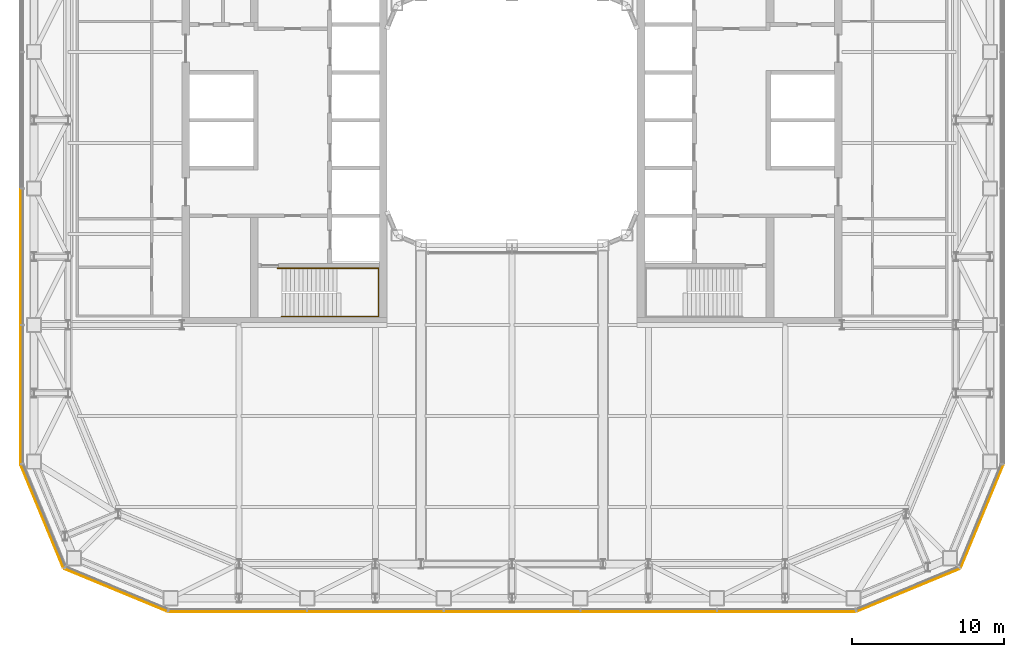
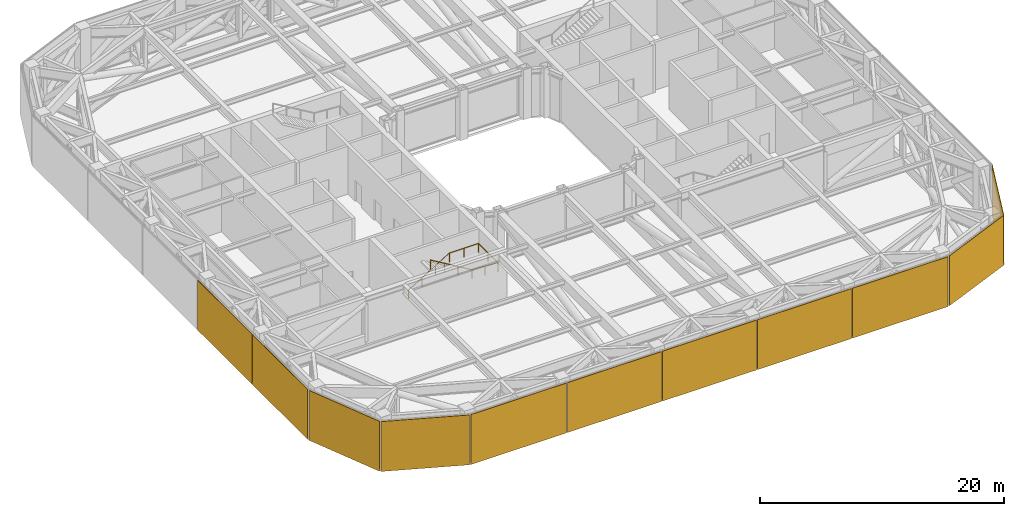
# One storey, part 29 of 33: 11 coverings, 1 railing.
"""IFC4 building model written with IfcOpenShell, lengths in metres."""

from ifc_helpers import new_model, si_unit, direction, frame, origin, origin_2d, place, context, subcontext, project, spatial, rectangle, circle, extrude, material, layer, layer_set, type_object, element, save


model = new_model("IFC4")

# Units and contexts
model_context = context("Model", 3, precision=1e-05, world=origin(), true_north=direction((0.0, 1.0)))
body_context = subcontext(model_context, "Body", "Model", "MODEL_VIEW")
ifc_project = project(units=[si_unit("LENGTHUNIT", "METRE"), si_unit("AREAUNIT", "SQUARE_METRE"), si_unit("VOLUMEUNIT", "CUBIC_METRE"), si_unit("PLANEANGLEUNIT", "RADIAN"), si_unit("MASSUNIT", "GRAM", prefix="KILO")], contexts=[model_context])

# Site, building, storey
site_placement = place(None, origin())
site = spatial("IfcSite", under=ifc_project, at=site_placement, CompositionType="ELEMENT")
building_placement = place(site_placement, origin())
building = spatial("IfcBuilding", under=site, at=building_placement, Name="Siwar Civic Tower", CompositionType="ELEMENT")
storey_placement = place(building_placement, frame((0.0, 0.0, 94.199951171875)))
storey = spatial("IfcBuildingStorey", under=building, at=storey_placement, Name="L20", CompositionType="ELEMENT", Elevation=94.199951171875)

# Railing
ifc_material_1 = material(Name="Stainless steel", Category="steel")
railing_type = type_object("IfcRailingType", Name="CORE-STAIR-HANDRAIL", PredefinedType="HANDRAIL", material=ifc_material_1)
railing_placement = place(storey_placement, frame((-15.449951171875, -9.758056640625, 0.166748046875)))
element("IfcRailing", 1, at=railing_placement, inside=storey, type_object=railing_type, Name="Stair handrail ST2", PredefinedType="HANDRAIL", context=body_context, shape_type="SweptSolid", body=[
    extrude(circle(Radius=0.02001953125, at=origin_2d()), frame((0.0, 0.0, 0.8798828125), z_axis=(0.856384976194, 0.0, 0.516337847296), x_axis=(0.0, 1.0, 0.0)), (0.0, 0.0, 1.0), 4.518798828125),
    extrude(circle(Radius=0.02001953125, at=origin_2d()), frame((3.869873046875, 0.0, 3.213134765625), z_axis=(1.0, 0.0, 0.0), x_axis=(0.0, 1.0, 0.0)), (0.0, 0.0, 1.0), 2.77197265625),
    extrude(circle(Radius=0.02001953125, at=origin_2d()), frame((6.641845703125, 0.0, 3.213134765625), z_axis=(0.0, -1.0, 0.0), x_axis=(1.0, 0.0, 0.0)), (0.0, 0.0, 1.0), 3.183837890625),
    extrude(circle(Radius=0.02001953125, at=origin_2d()), frame((6.641845703125, -3.183837890625, 3.213134765625), z_axis=(-0.997732526271, 0.0, 0.067303833624), x_axis=(0.0, -1.0, 0.0)), (0.0, 0.0, 1.0), 2.4775390625),
    extrude(circle(Radius=0.02001953125, at=origin_2d()), frame((4.169921875, -3.183837890625, 3.3798828125), z_axis=(-0.859296244711, 0.0, 0.511478214419), x_axis=(0.0, -1.0, 0.0)), (0.0, 0.0, 1.0), 4.561767578125),
    extrude(circle(Radius=0.02001953125, at=origin_2d()), origin(), (0.0, 0.0, 1.0), 0.85986328125),
    extrude(circle(Radius=0.02001953125, at=origin_2d()), frame((1.2900390625, 0.0, 0.77783203125)), (0.0, 0.0, 1.0), 0.85986328125),
    extrude(circle(Radius=0.02001953125, at=origin_2d()), frame((2.579833984375, 0.0, 1.555419921875)), (0.0, 0.0, 1.0), 0.85986328125),
    extrude(circle(Radius=0.02001953125, at=origin_2d()), frame((3.869873046875, 0.0, 2.333251953125)), (0.0, 0.0, 1.0), 0.85986328125),
    extrude(circle(Radius=0.02001953125, at=origin_2d()), frame((5.255859375, 0.0, 2.333251953125)), (0.0, 0.0, 1.0), 0.85986328125),
    extrude(circle(Radius=0.02001953125, at=origin_2d()), frame((6.641845703125, 0.0, 2.333251953125)), (0.0, 0.0, 1.0), 0.85986328125),
    extrude(circle(Radius=0.02001953125, at=origin_2d()), frame((6.641845703125, -1.591796875, 2.333251953125)), (0.0, 0.0, 1.0), 0.85986328125),
    extrude(circle(Radius=0.02001953125, at=origin_2d()), frame((6.641845703125, -3.183837890625, 2.333251953125)), (0.0, 0.0, 1.0), 0.85986328125),
    extrude(circle(Radius=0.02001953125, at=origin_2d()), frame((5.40576171875, -3.183837890625, 2.41650390625)), (0.0, 0.0, 1.0), 0.85986328125),
    extrude(circle(Radius=0.02001953125, at=origin_2d()), frame((4.169921875, -3.183837890625, 2.5)), (0.0, 0.0, 1.0), 0.85986328125),
    extrude(circle(Radius=0.02001953125, at=origin_2d()), frame((2.86328125, -3.183837890625, 3.27783203125)), (0.0, 0.0, 1.0), 0.85986328125),
    extrude(circle(Radius=0.02001953125, at=origin_2d()), frame((1.556640625, -3.183837890625, 4.055419921875)), (0.0, 0.0, 1.0), 0.85986328125),
    extrude(circle(Radius=0.02001953125, at=origin_2d()), frame((0.25, -3.183837890625, 4.833251953125)), (0.0, 0.0, 1.0), 0.85986328125),
])

# Coverings
ifc_material_2 = material(Name="Perforated aluminium cassette, pale metal", Category="aluminium")
ifc_layer_1 = layer(ifc_material_2, 0.044921875)
ifc_layer_set_1 = layer_set([ifc_layer_1], Name="Perforated aluminium cassette, pale metal")
covering_type_1 = type_object("IfcCoveringType", Name="ENV-OUTER SKIN OS-2", PredefinedType="CLADDING", material=ifc_layer_set_1)
covering_1_placement = place(storey_placement, frame((30.976318359375, -26.115966796875, -0.199951171875), z_axis=(0.0, 0.0, 1.0), x_axis=(0.382683432365, 0.923879532511, 0.0)))
element("IfcCovering", 2, at=covering_1_placement, inside=storey, type_object=covering_type_1, Name="OUTER SKIN OS-2 SE2 1", PredefinedType="CLADDING", context=body_context, shape_type="SweptSolid", body=[
    extrude(rectangle(XDim=7.300048828125, YDim=0.044921875, at=origin_2d()), origin(), (0.0, 0.0, 1.0), 5.0),
])
ifc_material_3 = material(Name="Perforated aluminium cassette, pale metal", Category="aluminium")
ifc_layer_2 = layer(ifc_material_3, 0.050048828125)
ifc_layer_set_2 = layer_set([ifc_layer_2], Name="Perforated aluminium cassette, pale metal")
covering_type_2 = type_object("IfcCoveringType", Name="ENV-OUTER SKIN OS-3", PredefinedType="CLADDING", material=ifc_layer_set_2)
covering_2_placement = place(storey_placement, frame((26.115966796875, -30.976318359375, -0.199951171875), z_axis=(0.0, 0.0, 1.0), x_axis=(0.923879532511, 0.382683432365, 0.0)))
element("IfcCovering", 3, at=covering_2_placement, inside=storey, type_object=covering_type_2, Name="OUTER SKIN OS-3 SE1 1", PredefinedType="CLADDING", context=body_context, shape_type="SweptSolid", body=[
    extrude(rectangle(XDim=7.300048828125, YDim=0.050048828125, at=origin_2d()), origin(), (0.0, 0.0, 1.0), 5.0),
])
covering_3_placement = place(storey_placement, frame((-32.39990234375, -9.0, -0.199951171875), z_axis=(0.0, 0.0, 1.0), x_axis=(0.0, -1.0, 0.0)))
element("IfcCovering", 4, at=covering_3_placement, inside=storey, type_object=covering_type_2, Name="OUTER SKIN OS-3 W 4", PredefinedType="CLADDING", context=body_context, shape_type="SweptSolid", body=[
    extrude(rectangle(XDim=8.89990234375, YDim=0.050048828125, at=origin_2d()), origin(), (0.0, 0.0, 1.0), 5.0),
])
covering_4_placement = place(storey_placement, frame((-32.39990234375, -18.07958984375, -0.199951171875), z_axis=(0.0, 0.0, 1.0), x_axis=(0.0, -1.0, 0.0)))
element("IfcCovering", 5, at=covering_4_placement, inside=storey, type_object=covering_type_2, Name="OUTER SKIN OS-3 W 5", PredefinedType="CLADDING", context=body_context, shape_type="SweptSolid", body=[
    extrude(rectangle(XDim=9.05908203125, YDim=0.050048828125, at=origin_2d()), origin(), (0.0, 0.0, 1.0), 5.0),
])
ifc_material_4 = material(Name="Perforated aluminium cassette, pale metal", Category="aluminium")
ifc_layer_3 = layer(ifc_material_4, 0.054931640625)
ifc_layer_set_3 = layer_set([ifc_layer_3], Name="Perforated aluminium cassette, pale metal")
covering_type_3 = type_object("IfcCoveringType", Name="ENV-OUTER SKIN OS-4", PredefinedType="CLADDING", material=ifc_layer_set_3)
covering_5_placement = place(storey_placement, frame((-18.07958984375, -32.39990234375, -0.199951171875), z_axis=(0.0, 0.0, 1.0), x_axis=(1.0, 0.0, 0.0)))
element("IfcCovering", 6, at=covering_5_placement, inside=storey, type_object=covering_type_3, Name="OUTER SKIN OS-4 S 1", PredefinedType="CLADDING", context=body_context, shape_type="SweptSolid", body=[
    extrude(rectangle(XDim=9.05908203125, YDim=0.054931640625, at=origin_2d()), origin(), (0.0, 0.0, 1.0), 5.0),
])
for number, where, z_axis, x_axis, name in (
    (7, (-9.0, -32.39990234375, -0.199951171875), (0.0, 0.0, 1.0), (1.0, 0.0, 0.0), "OUTER SKIN OS-4 S 2"),
    (8, (0.0, -32.39990234375, -0.199951171875), (0.0, 0.0, 1.0), (1.0, 0.0, 0.0), "OUTER SKIN OS-4 S 3"),
    (9, (9.0, -32.39990234375, -0.199951171875), (0.0, 0.0, 1.0), (1.0, 0.0, 0.0), "OUTER SKIN OS-4 S 4"),
):
    element("IfcCovering", number, at=place(storey_placement, frame(where, z_axis=z_axis, x_axis=x_axis)), inside=storey, type_object=covering_type_3, Name=name, PredefinedType="CLADDING", context=body_context, shape_type="SweptSolid", body=[
        extrude(rectangle(XDim=8.89990234375, YDim=0.054931640625, at=origin_2d()), origin(), (0.0, 0.0, 1.0), 5.0),
    ])
covering_6_placement = place(storey_placement, frame((18.07958984375, -32.39990234375, -0.199951171875), z_axis=(0.0, 0.0, 1.0), x_axis=(1.0, 0.0, 0.0)))
element("IfcCovering", 10, at=covering_6_placement, inside=storey, type_object=covering_type_3, Name="OUTER SKIN OS-4 S 5", PredefinedType="CLADDING", context=body_context, shape_type="SweptSolid", body=[
    extrude(rectangle(XDim=9.05908203125, YDim=0.054931640625, at=origin_2d()), origin(), (0.0, 0.0, 1.0), 5.0),
])
for number, where, z_axis, x_axis, name in (
    (11, (-30.976318359375, -26.115966796875, -0.199951171875), (0.0, 0.0, 1.0), (0.382683432365, -0.923879532511, 0.0), "OUTER SKIN OS-4 SW1 1"),
    (12, (-26.115966796875, -30.976318359375, -0.199951171875), (0.0, 0.0, 1.0), (0.923879532511, -0.382683432365, 0.0), "OUTER SKIN OS-4 SW2 1"),
):
    element("IfcCovering", number, at=place(storey_placement, frame(where, z_axis=z_axis, x_axis=x_axis)), inside=storey, type_object=covering_type_3, Name=name, PredefinedType="CLADDING", context=body_context, shape_type="SweptSolid", body=[
        extrude(rectangle(XDim=7.300048828125, YDim=0.054931640625, at=origin_2d()), origin(), (0.0, 0.0, 1.0), 5.0),
    ])

save(model, "model.ifc")
